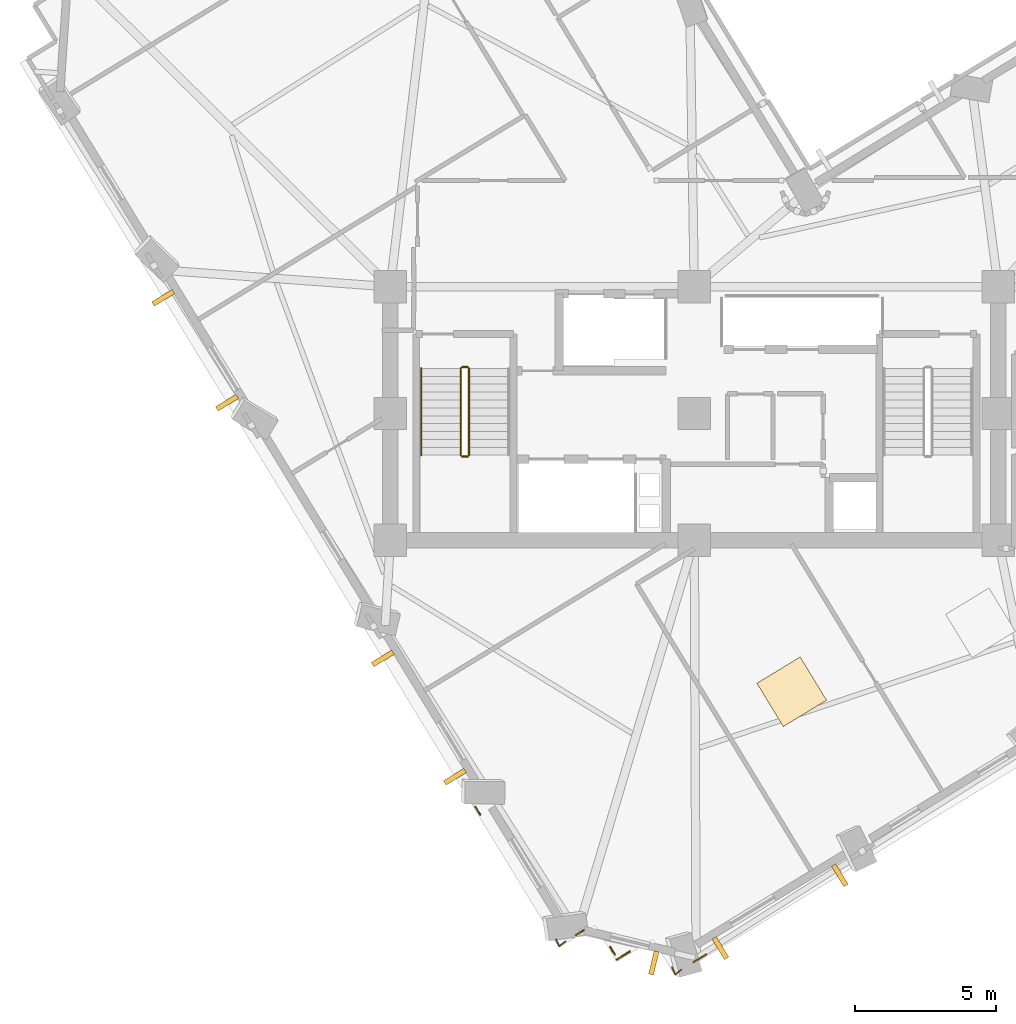
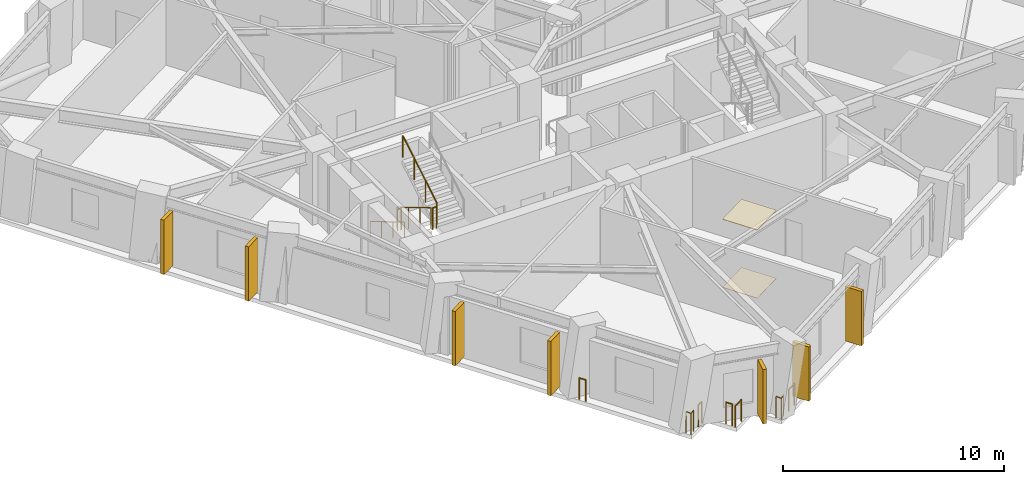
# One storey, part 10 of 14: 12 railings, 7 shading devices, 2 coverings.
"""IFC4 building model written with IfcOpenShell, lengths in metres."""

from ifc_helpers import new_model, si_unit, direction, frame, origin, origin_2d, place, context, subcontext, project, spatial, rectangle, circle, extrude, material, layer, layer_set, type_object, element, save


model = new_model("IFC4")

# Units and contexts
model_context = context("Model", 3, precision=1e-05, world=origin(), true_north=direction((0.0, 1.0)))
body_context = subcontext(model_context, "Body", "Model", "MODEL_VIEW")
ifc_project = project(units=[si_unit("LENGTHUNIT", "METRE"), si_unit("AREAUNIT", "SQUARE_METRE"), si_unit("VOLUMEUNIT", "CUBIC_METRE"), si_unit("PLANEANGLEUNIT", "RADIAN"), si_unit("MASSUNIT", "GRAM", prefix="KILO")], contexts=[model_context])

# Site, building, storey
site_placement = place(None, origin())
site = spatial("IfcSite", under=ifc_project, at=site_placement, CompositionType="ELEMENT")
building_placement = place(site_placement, origin())
building = spatial("IfcBuilding", under=site, at=building_placement, Name="Gaonmaruhae Medical Tower", CompositionType="ELEMENT")
storey_placement = place(building_placement, frame((0.0, 0.0, 157.800048828125)))
storey = spatial("IfcBuildingStorey", under=building, at=storey_placement, Name="L37", CompositionType="ELEMENT", Elevation=157.800048828125)

# Coverings
ifc_material_1 = material(Name="Acoustic mineral ceiling tile", Category="finish")
ifc_layer_1 = layer(ifc_material_1, 0.02490234375)
ifc_layer_set_1 = layer_set([ifc_layer_1], Name="Acoustic mineral ceiling tile")
covering_type_1 = type_object("IfcCoveringType", Name="CLG-01 Antimicrobial Acoustic Mineral Ceiling", PredefinedType="CEILING", material=ifc_layer_set_1)
covering_1_placement = place(storey_placement, frame((28.261962890625, 2.414794921875, 3.7548828125), z_axis=(0.0, 0.0, 1.0), x_axis=(0.854005138885, 0.520264569962, 0.0)))
element("IfcCovering", 1, at=covering_1_placement, inside=storey, type_object=covering_type_1, Name="L37 Clinical Room Acoustic Ceiling 2", PredefinedType="CEILING", context=body_context, shape_type="SweptSolid", body=[
    extrude(rectangle(XDim=1.800048828125, YDim=1.800048828125, at=origin_2d()), origin(), (0.0, 0.0, 1.0), 0.02490234375),
])
ifc_material_2 = material(Name="Seamless clinical vinyl flooring", Category="finish")
ifc_layer_2 = layer(ifc_material_2, 0.014892578125)
ifc_layer_set_2 = layer_set([ifc_layer_2], Name="Seamless clinical vinyl flooring")
covering_type_2 = type_object("IfcCoveringType", Name="FLR-01 Seamless Clinical Antistatic Vinyl Flooring", PredefinedType="FLOORING", material=ifc_layer_set_2)
covering_2_placement = place(storey_placement, frame((28.261962890625, 2.414794921875, 0.0), z_axis=(0.0, 0.0, 1.0), x_axis=(0.854005138885, 0.520264569962, 0.0)))
element("IfcCovering", 2, at=covering_2_placement, inside=storey, type_object=covering_type_2, Name="L37 Clinical Room Vinyl Flooring 2", PredefinedType="FLOORING", context=body_context, shape_type="SweptSolid", body=[
    extrude(rectangle(XDim=1.800048828125, YDim=1.800048828125, at=origin_2d()), origin(), (0.0, 0.0, 1.0), 0.014892578125),
])

# Railings
ifc_material_3 = material(Name="Stainless steel 316L and laminated safety glass", Category="steel")
ifc_layer_3 = layer(ifc_material_3, 0.080078125)
ifc_layer_set_3 = layer_set([ifc_layer_3], Name="Stainless steel 316L and laminated safety glass")
railing_type_1 = type_object("IfcRailingType", Name="GD-120 Outdoor Terrace Safety Glass & Steel Balustrade", PredefinedType="BALUSTRADE", material=ifc_layer_set_3)
railing_1_placement = place(storey_placement, frame((25.216064453125, -6.92333984375, 0.0)))
element("IfcRailing", 3, at=railing_1_placement, inside=storey, type_object=railing_type_1, Name="L37 Perimeter Slab Edge Safety Balustrade 04", PredefinedType="BALUSTRADE", context=body_context, shape_type="SweptSolid", body=[
    extrude(circle(Radius=0.02392578125, at=origin_2d()), frame((0.0, 0.0, 1.17578125), z_axis=(-0.854025774678, -0.520230695159, 0.0), x_axis=(0.520230695159, -0.854025774678, 0.0)), (0.0, 0.0, 1.0), 0.5185546875),
    extrude(circle(Radius=0.02099609375, at=origin_2d()), origin(), (0.0, 0.0, 1.0), 1.15185546875),
    extrude(circle(Radius=0.02099609375, at=origin_2d()), frame((-0.44287109375, -0.269775390625, 0.0)), (0.0, 0.0, 1.0), 1.15185546875),
])
railing_2_placement = place(storey_placement, frame((22.509521484375, -6.81591796875, 0.0)))
element("IfcRailing", 4, at=railing_2_placement, inside=storey, type_object=railing_type_1, Name="L37 Perimeter Slab Edge Safety Balustrade 05", PredefinedType="BALUSTRADE", context=body_context, shape_type="SweptSolid", body=[
    extrude(circle(Radius=0.02392578125, at=origin_2d()), frame((0.0, 0.0, 1.17578125), z_axis=(-0.854089090129, -0.520126740441, 0.0), x_axis=(0.520126740441, -0.854089090129, 0.0)), (0.0, 0.0, 1.0), 0.56005859375),
    extrude(circle(Radius=0.02099609375, at=origin_2d()), origin(), (0.0, 0.0, 1.0), 1.15185546875),
    extrude(circle(Radius=0.02099609375, at=origin_2d()), frame((-0.478271484375, -0.291259765625, 0.0)), (0.0, 0.0, 1.0), 1.15185546875),
])
railing_3_placement = place(storey_placement, frame((21.978515625, -6.924560546875, 0.0)))
element("IfcRailing", 5, at=railing_3_placement, inside=storey, type_object=railing_type_1, Name="L37 Perimeter Slab Edge Safety Balustrade 06", PredefinedType="BALUSTRADE", context=body_context, shape_type="SweptSolid", body=[
    extrude(circle(Radius=0.02392578125, at=origin_2d()), frame((0.0, 0.0, 1.17578125), z_axis=(-0.520089175728, 0.854111965313, 0.0), x_axis=(-0.854111965313, -0.520089175728, 0.0)), (0.0, 0.0, 1.0), 0.32666015625),
    extrude(circle(Radius=0.02099609375, at=origin_2d()), origin(), (0.0, 0.0, 1.0), 1.15185546875),
    extrude(circle(Radius=0.02099609375, at=origin_2d()), frame((-0.169921875, 0.279052734375, 0.0)), (0.0, 0.0, 1.0), 1.15185546875),
])
railing_4_placement = place(storey_placement, frame((20.875, -6.054931640625, 0.0)))
element("IfcRailing", 6, at=railing_4_placement, inside=storey, type_object=railing_type_1, Name="L37 Perimeter Slab Edge Safety Balustrade 07", PredefinedType="BALUSTRADE", context=body_context, shape_type="SweptSolid", body=[
    extrude(circle(Radius=0.02392578125, at=origin_2d()), frame((0.0, 0.0, 1.17578125), z_axis=(-0.853779979281, -0.520633985616, 0.0), x_axis=(0.520633985616, -0.853779979281, 0.0)), (0.0, 0.0, 1.0), 0.326904296875),
    extrude(circle(Radius=0.02099609375, at=origin_2d()), origin(), (0.0, 0.0, 1.0), 1.15185546875),
    extrude(circle(Radius=0.02099609375, at=origin_2d()), frame((-0.279052734375, -0.170166015625, 0.0)), (0.0, 0.0, 1.0), 1.15185546875),
])
railing_5_placement = place(storey_placement, frame((17.1953125, -1.956298828125, 0.0)))
element("IfcRailing", 7, at=railing_5_placement, inside=storey, type_object=railing_type_1, Name="L37 Perimeter Slab Edge Safety Balustrade 08", PredefinedType="BALUSTRADE", context=body_context, shape_type="SweptSolid", body=[
    extrude(circle(Radius=0.02392578125, at=origin_2d()), frame((0.0, 0.0, 1.17578125), z_axis=(-0.519878510797, 0.854240208613, 0.0), x_axis=(-0.854240208613, -0.519878510797, 0.0)), (0.0, 0.0, 1.0), 0.339599609375),
    extrude(circle(Radius=0.02099609375, at=origin_2d()), origin(), (0.0, 0.0, 1.0), 1.15185546875),
    extrude(circle(Radius=0.02099609375, at=origin_2d()), frame((-0.176513671875, 0.2900390625, 0.0)), (0.0, 0.0, 1.0), 1.15185546875),
])
for number, where, name in (
    (8, (24.348876953125, -7.45166015625, 0.0), "L37 Perimeter Corner Safety Balustrade 10"),
    (9, (20.22607421875, -6.450439453125, 0.0), "L37 Perimeter Corner Safety Balustrade 11"),
):
    element("IfcRailing", number, at=place(storey_placement, frame(where)), inside=storey, type_object=railing_type_1, Name=name, PredefinedType="BALUSTRADE", context=body_context, shape_type="SweptSolid", body=[
        extrude(circle(Radius=0.02392578125, at=origin_2d()), frame((0.0, 0.0, 1.17578125), z_axis=(-0.784338667828, -0.620332857545, 0.0), x_axis=(0.620332857545, -0.784338667828, 0.0)), (0.0, 0.0, 1.0), 0.287353515625),
        extrude(circle(Radius=0.02392578125, at=origin_2d()), frame((-0.225341796875, -0.17822265625, 1.17578125), z_axis=(-0.412201465619, 0.911092724008, 0.0), x_axis=(-0.911092724008, -0.412201465619, 0.0)), (0.0, 0.0, 1.0), 0.287353515625),
        extrude(circle(Radius=0.02099609375, at=origin_2d()), origin(), (0.0, 0.0, 1.0), 1.15185546875),
        extrude(circle(Radius=0.02099609375, at=origin_2d()), frame((-0.225341796875, -0.17822265625, 0.0)), (0.0, 0.0, 1.0), 1.15185546875),
        extrude(circle(Radius=0.02099609375, at=origin_2d()), frame((-0.34375, 0.08349609375, 0.0)), (0.0, 0.0, 1.0), 1.15185546875),
    ])
ifc_material_4 = material(Name="Stainless steel 304 handrail", Category="steel")
railing_type_2 = type_object("IfcRailingType", Name="HR-092 Continuous Stainless Steel Stair Handrail", PredefinedType="HANDRAIL", material=ifc_material_4)
railing_6_placement = place(storey_placement, frame((15.10009765625, 13.89990234375, 0.16650390625)))
element("IfcRailing", 10, at=railing_6_placement, inside=storey, type_object=railing_type_2, Name="L37 ST-01 stair handrail 1", PredefinedType="HANDRAIL", context=body_context, shape_type="SweptSolid", body=[
    extrude(circle(Radius=0.02392578125, at=origin_2d()), frame((0.0, 0.0, 0.8759765625), z_axis=(0.0, -0.859260807169, 0.511537745687), x_axis=(1.0, 0.0, 0.0)), (0.0, 0.0, 1.0), 3.584228515625),
    extrude(circle(Radius=0.02099609375, at=origin_2d()), origin(), (0.0, 0.0, 1.0), 0.851806640625),
    extrude(circle(Radius=0.02099609375, at=origin_2d()), frame((0.0, -1.026611328125, 0.611083984375)), (0.0, 0.0, 1.0), 0.851806640625),
    extrude(circle(Radius=0.02099609375, at=origin_2d()), frame((0.0, -2.05322265625, 1.222412109375)), (0.0, 0.0, 1.0), 0.851806640625),
    extrude(circle(Radius=0.02099609375, at=origin_2d()), frame((0.0, -3.079833984375, 1.83349609375)), (0.0, 0.0, 1.0), 0.851806640625),
])

# Shading devices
ifc_material_5 = material(Name="Pigmented coral precast concrete C45/55", Category="concrete")
shading_device_type = type_object("IfcShadingDeviceType", Name="SD-FIN1 Tower Vertical Coral Precast Shading Fin", PredefinedType="USERDEFINED", material=ifc_material_5)
for number, where, z_axis, x_axis, name in (
    (11, (29.967529296875, -4.104736328125, 0.08251953125), (0.0, 0.0, 1.0), (-0.854005138885, -0.520264569962, 0.0), "L37 Vertical Coral Precast Shading Fin S01"),
    (12, (25.723388671875, -6.6904296875, 0.08251953125), (0.0, 0.0, 1.0), (-0.854005138885, -0.520264569962, 0.0), "L37 Vertical Coral Precast Shading Fin S01B"),
    (13, (8.19970703125, 12.684814453125, 0.08251953125), (0.0, 0.0, 1.0), (-0.520264569962, 0.854005138885, 0.0), "L37 Vertical Coral Precast Shading Fin W02"),
    (14, (5.930419921875, 16.41015625, 0.08251953125), (0.0, 0.0, 1.0), (-0.520264569962, 0.854005138885, 0.0), "L37 Vertical Coral Precast Shading Fin W02B"),
    (15, (16.29638671875, -0.60546875, 0.08251953125), (0.0, 0.0, 1.0), (-0.520264569962, 0.854005138885, 0.0), "L37 Vertical Coral Precast Shading Fin W04"),
    (16, (13.734619140625, 3.599365234375, 0.08251953125), (0.0, 0.0, 1.0), (-0.520264569962, 0.854005138885, 0.0), "L37 Vertical Coral Precast Shading Fin W04B"),
    (17, (23.36181640625, -7.2197265625, 0.08251953125), (0.0, 0.0, 1.0), (-0.971759548963, 0.235973259075, 0.0), "L37 Vertical Coral Precast Shading Fin W06"),
):
    element("IfcShadingDevice", number, at=place(storey_placement, frame(where, z_axis=z_axis, x_axis=x_axis)), inside=storey, type_object=shading_device_type, Name=name, ObjectType="FIN", PredefinedType="USERDEFINED", context=body_context, shape_type="SweptSolid", body=[
        extrude(rectangle(XDim=0.179931640625, YDim=0.85009765625, at=origin_2d()), origin(), (0.0, 0.0, 1.0), 3.0),
    ])

# Railings
ifc_material_6 = material(Name="Stainless steel 304 balustrade", Category="steel")
railing_type_3 = type_object("IfcRailingType", Name="SG-112 Stair Well & Ramp Void Safety Balustrade", PredefinedType="BALUSTRADE", material=ifc_material_6)
railing_7_placement = place(storey_placement, frame((16.5, 13.89990234375, 0.16650390625)))
element("IfcRailing", 18, at=railing_7_placement, inside=storey, type_object=railing_type_3, Name="L37 ST-01 stair guard 1", PredefinedType="BALUSTRADE", context=body_context, shape_type="SweptSolid", body=[
    extrude(circle(Radius=0.02392578125, at=origin_2d()), frame((0.0, 0.0, 1.17578125), z_axis=(0.0, -0.859260807169, 0.511537745687), x_axis=(1.0, 0.0, 0.0)), (0.0, 0.0, 1.0), 3.584228515625),
    extrude(circle(Radius=0.02099609375, at=origin_2d()), origin(), (0.0, 0.0, 1.0), 1.15185546875),
    extrude(circle(Radius=0.02099609375, at=origin_2d()), frame((0.0, -1.026611328125, 0.611083984375)), (0.0, 0.0, 1.0), 1.15185546875),
    extrude(circle(Radius=0.02099609375, at=origin_2d()), frame((0.0, -2.05322265625, 1.222412109375)), (0.0, 0.0, 1.0), 1.15185546875),
    extrude(circle(Radius=0.02099609375, at=origin_2d()), frame((0.0, -3.079833984375, 1.83349609375)), (0.0, 0.0, 1.0), 1.15185546875),
])
railing_8_placement = place(storey_placement, frame((16.550048828125, 10.77001953125, 2.0)))
element("IfcRailing", 19, at=railing_8_placement, inside=storey, type_object=railing_type_3, Name="L37 ST-01 stair guard 2", PredefinedType="BALUSTRADE", context=body_context, shape_type="SweptSolid", body=[
    extrude(circle(Radius=0.02392578125, at=origin_2d()), frame((0.0, 0.0, 1.17578125), z_axis=(1.0, 0.0, 0.0), x_axis=(0.0, 1.0, 0.0)), (0.0, 0.0, 1.0), 0.199951171875),
    extrude(circle(Radius=0.02099609375, at=origin_2d()), origin(), (0.0, 0.0, 1.0), 1.15185546875),
    extrude(circle(Radius=0.02099609375, at=origin_2d()), frame((0.199951171875, 0.0, 0.0)), (0.0, 0.0, 1.0), 1.15185546875),
])
railing_9_placement = place(storey_placement, frame((16.800048828125, 10.820068359375, 2.16650390625)))
element("IfcRailing", 20, at=railing_9_placement, inside=storey, type_object=railing_type_3, Name="L37 ST-01 stair guard 3", PredefinedType="BALUSTRADE", context=body_context, shape_type="SweptSolid", body=[
    extrude(circle(Radius=0.02392578125, at=origin_2d()), frame((0.0, 0.0, 1.17578125), z_axis=(0.0, 0.859260807169, 0.511537745687), x_axis=(-1.0, 0.0, 0.0)), (0.0, 0.0, 1.0), 3.584228515625),
    extrude(circle(Radius=0.02099609375, at=origin_2d()), origin(), (0.0, 0.0, 1.0), 1.15185546875),
    extrude(circle(Radius=0.02099609375, at=origin_2d()), frame((0.0, 1.026611328125, 0.611083984375)), (0.0, 0.0, 1.0), 1.15185546875),
    extrude(circle(Radius=0.02099609375, at=origin_2d()), frame((0.0, 2.05322265625, 1.222412109375)), (0.0, 0.0, 1.0), 1.15185546875),
    extrude(circle(Radius=0.02099609375, at=origin_2d()), frame((0.0, 3.079833984375, 1.83349609375)), (0.0, 0.0, 1.0), 1.15185546875),
])
railing_10_placement = place(storey_placement, frame((16.550048828125, 13.949951171875, 0.0)))
element("IfcRailing", 21, at=railing_10_placement, inside=storey, type_object=railing_type_3, Name="L37 ST-01 stair guard 4", PredefinedType="BALUSTRADE", context=body_context, shape_type="SweptSolid", body=[
    extrude(circle(Radius=0.02392578125, at=origin_2d()), frame((0.0, 0.0, 1.17578125), z_axis=(1.0, 0.0, 0.0), x_axis=(0.0, 1.0, 0.0)), (0.0, 0.0, 1.0), 0.199951171875),
    extrude(circle(Radius=0.02099609375, at=origin_2d()), origin(), (0.0, 0.0, 1.0), 1.15185546875),
    extrude(circle(Radius=0.02099609375, at=origin_2d()), frame((0.199951171875, 0.0, 0.0)), (0.0, 0.0, 1.0), 1.15185546875),
])

save(model, "model.ifc")
